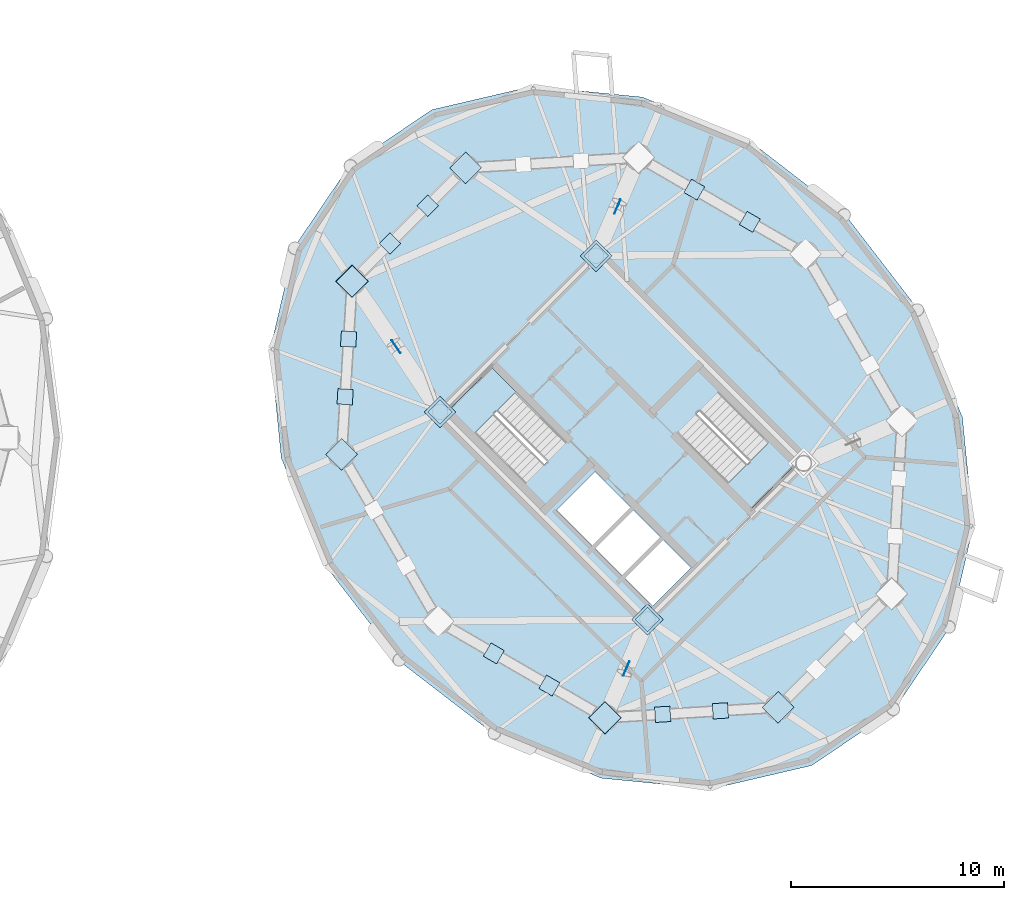
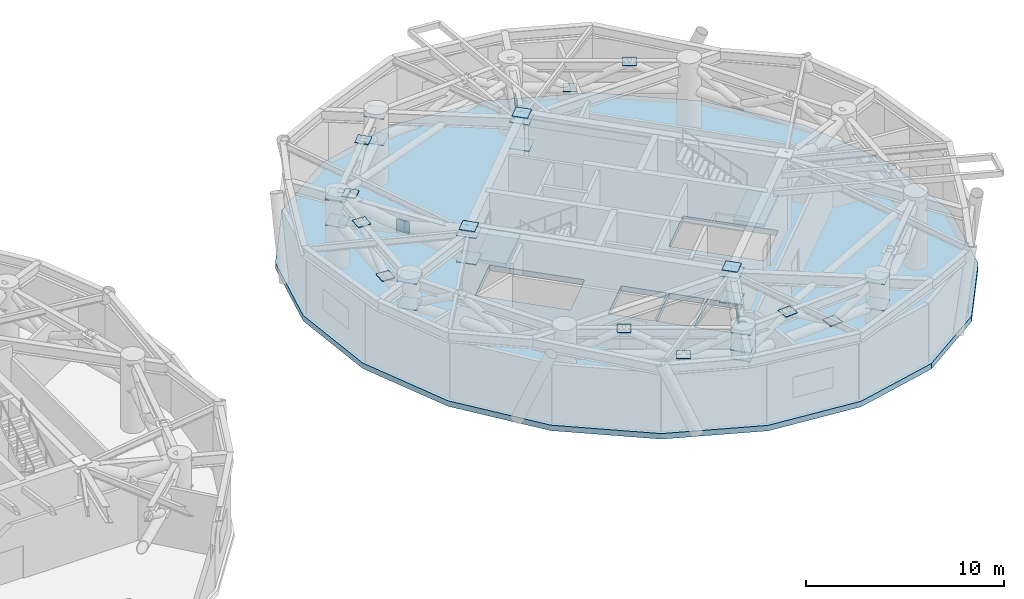
# One storey, part 7 of 16: 34 plates, 3 slabs, 2 elements without a shape of their own.
"""IFC4 building model written with IfcOpenShell, lengths in metres."""

import ifcopenshell
import ifcopenshell.guid

model = None  # the IFC model being written
_history = None  # IfcOwnerHistory: only IFC2X3 demands one
_inside = {}  # id of a spatial element -> (the spatial element, [elements in it])
_under = {}  # id of a project, library or spatial element -> (it, [spatial elements below it])
_declared = {}  # id of a project -> (the project, [libraries it declares])
_typed = {}  # id of a type object -> (the type object, [elements of that type])
_made_of = {}  # id of a material, layer set ... -> (it, [elements and type objects made of it])


def new_model(schema):
    """Start an empty IFC model of exactly this schema.

    Asked for "IFC4X3", IfcOpenShell would pick the latest addendum, in which some entities
    have other attributes; the version numbers below select the first issue.
    IFC2X3 requires an IfcOwnerHistory on every rooted entity: one is made here for all.
    """
    global model, _history
    if schema == "IFC4X3":
        model = ifcopenshell.file(schema_version=(4, 3, 0, 0))
    else:
        model = ifcopenshell.file(schema=schema)
    _inside.clear()
    _under.clear()
    _declared.clear()
    _typed.clear()
    _made_of.clear()
    _history = None
    if model.schema == "IFC2X3":
        org = make("IfcOrganization", Name="unknown")
        user = make(
            "IfcPersonAndOrganization",
            ThePerson=make("IfcPerson", FamilyName="unknown"),
            TheOrganization=org,
        )
        app = make(
            "IfcApplication",
            ApplicationDeveloper=org,
            Version="unknown",
            ApplicationFullName="unknown",
            ApplicationIdentifier="unknown",
        )
        _history = make(
            "IfcOwnerHistory",
            OwningUser=user,
            OwningApplication=app,
            ChangeAction="ADDED",
            CreationDate=0,
        )
    return model


def make(cls, **values):
    """One entity of the class cls with the attributes given. An attribute that is None is left unset."""
    return model.create_entity(
        cls, **{name: value for name, value in values.items() if value is not None}
    )


def rooted(cls, **values):
    """An entity with a GlobalId (a new one), such as an element, a storey or a relation."""
    return make(cls, GlobalId=ifcopenshell.guid.new(), OwnerHistory=_history, **values)


def si_unit(unit_type, name, prefix=None):
    """IfcSIUnit, for example si_unit("LENGTHUNIT", "METRE", prefix="MILLI")."""
    return make("IfcSIUnit", UnitType=unit_type, Prefix=prefix, Name=name)


def assignment(units):
    """IfcUnitAssignment: the units of a project."""
    return None if units is None else make("IfcUnitAssignment", Units=units)


def point(xyz):
    """IfcCartesianPoint."""
    return None if xyz is None else make("IfcCartesianPoint", Coordinates=xyz)


def direction(xyz):
    """IfcDirection."""
    return None if xyz is None else make("IfcDirection", DirectionRatios=xyz)


def frame(location, z_axis=None, x_axis=None):
    """IfcAxis2Placement3D, a coordinate frame: its origin and axes. An axis left out is left unset."""
    return make(
        "IfcAxis2Placement3D",
        Location=point(location),
        Axis=direction(z_axis),
        RefDirection=direction(x_axis),
    )


def frame_2d(location, x_axis=None):
    """IfcAxis2Placement2D, a coordinate frame in the plane: its origin and x axis."""
    return make(
        "IfcAxis2Placement2D", Location=point(location), RefDirection=direction(x_axis)
    )


def origin():
    """The frame at (0, 0, 0) with its axes left unset."""
    return frame((0.0, 0.0, 0.0))


def origin_2d():
    """The frame at (0, 0) in the plane with its x axis left unset."""
    return frame_2d((0.0, 0.0))


def place(relative_to, where):
    """IfcLocalPlacement: puts the frame where relative to a parent placement (None: the world)."""
    return make(
        "IfcLocalPlacement", PlacementRelTo=relative_to, RelativePlacement=where
    )


def context(
    kind, dimensions, precision=None, world=None, true_north=None, identifier=None
):
    """IfcGeometricRepresentationContext, for example the 3D "Model" context."""
    return make(
        "IfcGeometricRepresentationContext",
        ContextIdentifier=identifier,
        ContextType=kind,
        CoordinateSpaceDimension=dimensions,
        Precision=precision,
        WorldCoordinateSystem=world,
        TrueNorth=true_north,
    )


def subcontext(parent, identifier, kind, view, scale=None):
    """IfcGeometricRepresentationSubContext, for example "Body" below "Model"."""
    return make(
        "IfcGeometricRepresentationSubContext",
        ContextIdentifier=identifier,
        ContextType=kind,
        ParentContext=parent,
        TargetScale=scale,
        TargetView=view,
    )


def project(units=None, contexts=None):
    """IfcProject with its units and contexts."""
    return rooted(
        "IfcProject",
        Name="project",
        RepresentationContexts=contexts,
        UnitsInContext=assignment(units),
    )


def spatial(cls, under=None, at=None, **own):
    """A site, building, storey or space (cls), placed at a placement, below another one or the project."""
    s = rooted(cls, ObjectPlacement=at, **own)
    if under is not None:
        _under.setdefault(under.id(), (under, []))[1].append(s)
    return s


def polyline(points):
    """IfcPolyline through the points."""
    return make("IfcPolyline", Points=[point(p) for p in points])


def profile(cls, at=None, kind="AREA", **sizes):
    """A parametric profile (cls). Its sizes go by their IFC names, for example OverallWidth=200.0."""
    return make(cls, ProfileType=kind, Position=at, **sizes)


def rectangle(**sizes):
    """IfcRectangleProfileDef."""
    return profile("IfcRectangleProfileDef", **sizes)


def outline(outer, holes=None, kind="AREA"):
    """IfcArbitraryClosedProfileDef: a profile drawn as a closed curve; with holes, ...WithVoids."""
    if holes is None:
        return make("IfcArbitraryClosedProfileDef", ProfileType=kind, OuterCurve=outer)
    return make(
        "IfcArbitraryProfileDefWithVoids",
        ProfileType=kind,
        OuterCurve=outer,
        InnerCurves=holes,
    )


def extrude(swept, where, along, depth):
    """IfcExtrudedAreaSolid: the profile swept, set in the frame where, extruded along a direction by depth."""
    return make(
        "IfcExtrudedAreaSolid",
        SweptArea=swept,
        Position=where,
        ExtrudedDirection=direction(along),
        Depth=depth,
    )


def shape(context_of_items, identifier, shape_type, items):
    """IfcShapeRepresentation: the items that make up one representation, for example the "Body"."""
    return make(
        "IfcShapeRepresentation",
        ContextOfItems=context_of_items,
        RepresentationIdentifier=identifier,
        RepresentationType=shape_type,
        Items=items,
    )


def source(mapping_origin, context_of_items, identifier, shape_type, items):
    """IfcRepresentationMap: a shape defined once, which mapped items show again and again."""
    return make(
        "IfcRepresentationMap",
        MappingOrigin=mapping_origin,
        MappedRepresentation=shape(context_of_items, identifier, shape_type, items),
    )


def transform(
    local_origin,
    x_axis=None,
    y_axis=None,
    z_axis=None,
    scale=None,
    scale2=None,
    scale3=None,
    uniform=True,
):
    """IfcCartesianTransformationOperator3D, or its non-uniform kind. x_axis, y_axis, z_axis: its Axis1, 2, 3."""
    if uniform:
        return make(
            "IfcCartesianTransformationOperator3D",
            Axis1=direction(x_axis),
            Axis2=direction(y_axis),
            LocalOrigin=point(local_origin),
            Scale=scale,
            Axis3=direction(z_axis),
        )
    return make(
        "IfcCartesianTransformationOperator3DnonUniform",
        Axis1=direction(x_axis),
        Axis2=direction(y_axis),
        LocalOrigin=point(local_origin),
        Scale=scale,
        Axis3=direction(z_axis),
        Scale2=scale2,
        Scale3=scale3,
    )


def mapped(mapping_source, mapping_target):
    """IfcMappedItem: shows the shape of a source again, moved by a transform."""
    return make(
        "IfcMappedItem", MappingSource=mapping_source, MappingTarget=mapping_target
    )


def material(Name=None, Category=None):
    """IfcMaterial."""
    return make("IfcMaterial", Name=Name, Category=Category)


def layer(
    of_material, thickness, ventilated=None, Name=None, Category=None, Priority=None
):
    """IfcMaterialLayer: one layer of a wall or slab, of a material (None: an air gap)."""
    return make(
        "IfcMaterialLayer",
        Material=of_material,
        LayerThickness=thickness,
        IsVentilated=ventilated,
        Name=Name,
        Category=Category,
        Priority=Priority,
    )


def layer_set(layers, Name=None):
    """IfcMaterialLayerSet."""
    return make("IfcMaterialLayerSet", MaterialLayers=layers, LayerSetName=Name)


def made_of(thing, what):
    """Note that an element or type object is made of a material, layer set ...; save() writes the relation."""
    if what is not None:
        _made_of.setdefault(what.id(), (what, []))[1].append(thing)
    return thing


def type_object(cls, material=None, **own):
    """A type object (cls), such as IfcWallType, which elements share."""
    return made_of(rooted(cls, **own), material)


def element(
    cls,
    number,
    at=None,
    inside=None,
    cuts=None,
    type_object=None,
    material=None,
    context=None,
    identifier="Body",
    shape_type=None,
    held_by="IfcProductDefinitionShape",
    body=None,
    shapes=None,
    **own,
):
    """One element of the class cls, such as IfcWall. Its Tag is "e" and its number.

    at: its placement. inside: the storey or other place that contains it. cuts: it is an
    opening in that element (IfcRelVoidsElement). A single representation is given by context,
    identifier, shape_type and body (its items); several are given by shapes. held_by: the class
    of the entity that holds the representations. save() writes the other relations.
    """
    e = rooted(cls, Tag="e%d" % number, ObjectPlacement=at, **own)
    if body is not None:
        shapes = [shape(context, identifier, shape_type, body)]
    if shapes is not None:
        e.Representation = make(held_by, Representations=shapes)
    if inside is not None:
        _inside.setdefault(inside.id(), (inside, []))[1].append(e)
    if cuts is not None:
        rooted(
            "IfcRelVoidsElement", RelatingBuildingElement=cuts, RelatedOpeningElement=e
        )
    if type_object is not None:
        _typed.setdefault(type_object.id(), (type_object, []))[1].append(e)
    return made_of(e, material)


def aggregate(whole, parts):
    """IfcRelAggregates: a whole, such as a stair, and the parts it consists of."""
    return rooted("IfcRelAggregates", RelatingObject=whole, RelatedObjects=parts)


def save(model, path):
    """Write the relations noted so far, then the file.

    IfcRelAggregates (storeys below a building ...), IfcRelContainedInSpatialStructure (elements
    in a storey), IfcRelDefinesByType, IfcRelAssociatesMaterial and IfcRelDeclares: one each for
    every whole, place, type object, material and project.
    """
    for whole, parts in _under.values():
        aggregate(whole, parts)
    for where, things in _inside.values():
        rooted(
            "IfcRelContainedInSpatialStructure",
            RelatedElements=things,
            RelatingStructure=where,
        )
    for kind, things in _typed.values():
        rooted("IfcRelDefinesByType", RelatedObjects=things, RelatingType=kind)
    for what, things in _made_of.values():
        rooted("IfcRelAssociatesMaterial", RelatedObjects=things, RelatingMaterial=what)
    for by, libraries in _declared.values():
        rooted("IfcRelDeclares", RelatingContext=by, RelatedDefinitions=libraries)
    model.write(path)


model = new_model("IFC4")

# Units and contexts
model_context = context("Model", 3, precision=1e-05, world=origin(), true_north=direction((0.0, 1.0)))
body_context = subcontext(model_context, "Body", "Model", "MODEL_VIEW")
ifc_project = project(units=[si_unit("LENGTHUNIT", "METRE"), si_unit("AREAUNIT", "SQUARE_METRE"), si_unit("VOLUMEUNIT", "CUBIC_METRE"), si_unit("PLANEANGLEUNIT", "RADIAN"), si_unit("MASSUNIT", "GRAM", prefix="KILO")], contexts=[model_context])

# Site, building, storey
site_placement = place(None, origin())
site = spatial("IfcSite", under=ifc_project, at=site_placement, CompositionType="ELEMENT")
building_placement = place(site_placement, origin())
building = spatial("IfcBuilding", under=site, at=building_placement, Name="Cununo Teusaquillo Station Towers", CompositionType="ELEMENT")
storey_placement = place(building_placement, frame((0.0, 0.0, 147.10009765625)))
storey = spatial("IfcBuildingStorey", under=building, at=storey_placement, Name="L46", CompositionType="ELEMENT", Elevation=147.10009765625)

# Slab
ifc_material_1 = material(Name="Concrete C50/60", Category="concrete")
ifc_layer_1 = layer(ifc_material_1, 0.340087890625)
ifc_layer_set_1 = layer_set([ifc_layer_1], Name="Concrete C50/60")
slab_type_1 = type_object("IfcSlabType", Name="SLB-B01-340", PredefinedType="FLOOR", material=ifc_layer_set_1)
slab_1_placement = place(storey_placement, frame((0.0, 0.0, -0.340087890625)))
element("IfcSlab", 1, at=slab_1_placement, inside=storey, type_object=slab_type_1, Name="L46 Tower B Floor Slab", PredefinedType="FLOOR", context=body_context, shape_type="SweptSolid", body=[
    extrude(outline(polyline([(67.961669921875, 34.961669921875), (63.505615234375, 38.393798828125), (58.461669921875, 40.4658203125), (53.323486328125, 40.97509765625), (48.59423828125, 39.871337890625), (44.73681640625, 37.26318359375), (42.128662109375, 33.40576171875), (41.02490234375, 28.676513671875), (41.5341796875, 23.538330078125), (43.606201171875, 18.494384765625), (47.038330078125, 14.038330078125), (51.494384765625, 10.606201171875), (56.538330078125, 8.5341796875), (61.676513671875, 8.02490234375), (66.40576171875, 9.128662109375), (70.26318359375, 11.73681640625), (72.871337890625, 15.59423828125), (73.97509765625, 20.323486328125), (73.4658203125, 25.461669921875), (71.393798828125, 30.505615234375), (67.961669921875, 34.961669921875)]), holes=[polyline([(54.914794921875, 24.28515625), (51.390625, 27.809326171875), (49.43896484375, 25.857666015625), (52.963134765625, 22.33349609375), (54.914794921875, 24.28515625)]), polyline([(60.085205078125, 24.71484375), (63.609375, 21.190673828125), (65.56103515625, 23.142333984375), (62.036865234375, 26.66650390625), (60.085205078125, 24.71484375)]), polyline([(56.156494140625, 19.40869140625), (57.945556640625, 21.19775390625), (56.248291015625, 22.89501953125), (54.45947265625, 21.10595703125), (56.156494140625, 19.40869140625)]), polyline([(58.94970703125, 16.61572265625), (60.738525390625, 18.40478515625), (59.430419921875, 19.712890625), (57.641357421875, 17.923828125), (58.94970703125, 16.61572265625)]), polyline([(57.535400390625, 18.030029296875), (59.32421875, 19.819091796875), (58.01611328125, 21.127197265625), (56.227294921875, 19.338134765625), (57.535400390625, 18.030029296875)])]), origin(), (0.0, 0.0, 1.0), 0.340087890625),
])

# Stair, slab
ifc_material_2 = material(Name="Concrete C50/60", Category="concrete")
stair_type = type_object("IfcStairType", Name="ST-TWR-1300", PredefinedType="HALF_TURN_STAIR", material=ifc_material_2)
stair_1_placement = place(storey_placement, origin())
stair_1 = element("IfcStair", 2, at=stair_1_placement, inside=storey, type_object=stair_type, Name="L46 Tower B Protected Core Exit Stair 1", PredefinedType="HALF_TURN_STAIR")
ifc_material_3 = material(Name="Concrete C50/60", Category="concrete")
ifc_layer_2 = layer(ifc_material_3, 0.199951171875)
ifc_layer_set_2 = layer_set([ifc_layer_2], Name="Concrete C50/60")
slab_type_2 = type_object("IfcSlabType", Name="SLB-STAIR-LND", PredefinedType="LANDING", material=ifc_layer_set_2)
slab_2_placement = place(storey_placement, frame((0.0, 0.0, 2.0498046875)))
slab_2 = element("IfcSlab", 3, at=slab_2_placement, type_object=slab_type_2, Name="ST-T2-1 landing 1", PredefinedType="LANDING", context=body_context, shape_type="SweptSolid", body=[
    extrude(outline(polyline([(52.543212890625, 26.65673828125), (51.390625, 27.809326171875), (49.43896484375, 25.857666015625), (50.591552734375, 24.705078125), (52.543212890625, 26.65673828125)])), origin(), (0.0, 0.0, 1.0), 0.2001953125),
])
aggregate(stair_1, [slab_2])

stair_2_placement = place(storey_placement, origin())
stair_2 = element("IfcStair", 4, at=stair_2_placement, inside=storey, type_object=stair_type, Name="L46 Tower B Protected Core Exit Stair 2", PredefinedType="HALF_TURN_STAIR")
slab_3_placement = place(storey_placement, frame((0.0, 0.0, 2.0498046875)))
slab_3 = element("IfcSlab", 5, at=slab_3_placement, type_object=slab_type_2, Name="ST-T2-2 landing 1", PredefinedType="LANDING", context=body_context, shape_type="SweptSolid", body=[
    extrude(outline(polyline([(62.456787109375, 22.34326171875), (63.609375, 21.190673828125), (65.56103515625, 23.142333984375), (64.408447265625, 24.294921875), (62.456787109375, 22.34326171875)])), origin(), (0.0, 0.0, 1.0), 0.2001953125),
])
aggregate(stair_2, [slab_3])

# Plates
ifc_material_4 = material(Name="Steel ASTM A572 Grade 50", Category="steel")
ifc_layer_3 = layer(ifc_material_4, 0.0400390625)
ifc_layer_set_3 = layer_set([ifc_layer_3], Name="Steel ASTM A572 Grade 50")
plate_type_1 = type_object("IfcPlateType", Name="PLT-NODE-CRN1", PredefinedType="USERDEFINED", material=ifc_layer_set_3)
shared_shape_1 = source(origin(), body_context, "Body", "SweptSolid", [
    extrude(rectangle(XDim=0.820068359375, YDim=0.820068359375, at=origin_2d()), origin(), (0.0, 0.0, 1.0), 0.0400390625),
])
for number, where, z_axis, x_axis, name in (
    (6, (58.70556640625, 15.975830078125, 4.5), (0.0, 0.0, 1.0), (0.707106781187, 0.707106781187, 0.0), "L46 Tower B Core Column Sealed Cap Plate 1"),
    (7, (48.975830078125, 25.70556640625, 4.5), (0.0, 0.0, 1.0), (0.707106781187, 0.707106781187, 0.0), "L46 Tower B Core Column Sealed Cap Plate 2"),
    (8, (56.29443359375, 33.024169921875, 4.5), (0.0, 0.0, 1.0), (0.707106781187, 0.707106781187, 0.0), "L46 Tower B Core Column Sealed Cap Plate 4"),
):
    element("IfcPlate", number, at=place(storey_placement, frame(where, z_axis=z_axis, x_axis=x_axis)), inside=storey, type_object=plate_type_1, Name=name, ObjectType="GUSSET PLATE", PredefinedType="USERDEFINED", context=body_context, shape_type="MappedRepresentation", body=[
        mapped(shared_shape_1, transform((0.0, 0.0, 0.0), x_axis=(1.0, 0.0, 0.0), y_axis=(0.0, 1.0, 0.0), z_axis=(0.0, 0.0, 1.0), scale=1.0)),
    ])
ifc_material_5 = material(Name="Steel ASTM A572 Grade 50", Category="steel")
ifc_layer_4 = layer(ifc_material_5, 0.030029296875)
ifc_layer_set_4 = layer_set([ifc_layer_4], Name="Steel ASTM A572 Grade 50")
plate_type_2 = type_object("IfcPlateType", Name="PLT-NODE-XBR", PredefinedType="USERDEFINED", material=ifc_layer_set_4)
shared_shape_2 = source(origin(), body_context, "Body", "SweptSolid", [
    extrude(rectangle(XDim=0.719970703125, YDim=0.030029296875, at=origin_2d()), origin(), (0.0, 0.0, 1.0), 0.719970703125),
])
for number, where, z_axis, x_axis, name in (
    (9, (46.914794921875, 28.76611328125, 3.02978515625), (0.0, 0.0, 1.0), (-0.558613989835, 0.829427760785, 0.0), "L46 Tower B Outrigger X-Crossing Gusset XBP1 1"),
    (10, (57.292724609375, 35.32958984375, 3.02978515625), (0.0, 0.0, 1.0), (0.397308062984, 0.917685296323, 0.0), "L46 Tower B Outrigger X-Crossing Gusset XBP1 2"),
    (11, (57.707275390625, 13.67041015625, 3.02978515625), (0.0, 0.0, 1.0), (-0.397308062984, -0.917685296323, 0.0), "L46 Tower B Outrigger X-Crossing Gusset XBP1 3"),
):
    element("IfcPlate", number, at=place(storey_placement, frame(where, z_axis=z_axis, x_axis=x_axis)), inside=storey, type_object=plate_type_2, Name=name, ObjectType="GUSSET PLATE", PredefinedType="USERDEFINED", context=body_context, shape_type="MappedRepresentation", body=[
        mapped(shared_shape_2, transform((0.0, 0.0, 0.0), x_axis=(1.0, 0.0, 0.0), y_axis=(0.0, 1.0, 0.0), z_axis=(0.0, 0.0, 1.0), scale=1.0)),
    ])
ifc_material_6 = material(Name="Steel ASTM A572 Grade 50", Category="steel")
ifc_layer_5 = layer(ifc_material_6, 0.054931640625)
ifc_layer_set_5 = layer_set([ifc_layer_5], Name="Steel ASTM A572 Grade 50")
plate_type_3 = type_object("IfcPlateType", Name="PLT-NODE-OTN1", PredefinedType="USERDEFINED", material=ifc_layer_set_5)
shared_shape_3 = source(origin(), body_context, "Body", "SweptSolid", [
    extrude(rectangle(XDim=1.050048828125, YDim=1.050048828125, at=origin_2d()), origin(), (0.0, 0.0, 1.0), 0.054931640625),
])
for number, where, z_axis, x_axis, name in (
    (12, (48.975830078125, 25.70556640625, 2.55224609375), (0.0, 0.0, 1.0), (0.707106781187, 0.707106781187, 0.0), "L46 Tower B Outrigger Core Gusset OTN1 1.CB"),
    (13, (48.975830078125, 25.70556640625, 4.17236328125), (0.0, 0.0, 1.0), (0.707106781187, 0.707106781187, 0.0), "L46 Tower B Outrigger Core Gusset OTN1 1.CT"),
    (14, (56.29443359375, 33.024169921875, 2.55224609375), (0.0, 0.0, 1.0), (0.707106781187, 0.707106781187, 0.0), "L46 Tower B Outrigger Core Gusset OTN1 2.CB"),
    (15, (56.29443359375, 33.024169921875, 4.17236328125), (0.0, 0.0, 1.0), (0.707106781187, 0.707106781187, 0.0), "L46 Tower B Outrigger Core Gusset OTN1 2.CT"),
    (16, (58.70556640625, 15.975830078125, 2.55224609375), (0.0, 0.0, 1.0), (0.707106781187, 0.707106781187, 0.0), "L46 Tower B Outrigger Core Gusset OTN1 3.CB"),
    (17, (58.70556640625, 15.975830078125, 4.17236328125), (0.0, 0.0, 1.0), (0.707106781187, 0.707106781187, 0.0), "L46 Tower B Outrigger Core Gusset OTN1 3.CT"),
    (18, (50.173095703125, 37.146240234375, 2.55224609375), (0.0, 0.0, 1.0), (0.707106781187, 0.707106781187, 0.0), "L46 Tower B Belt Truss Column Gusset 03B"),
    (19, (50.173095703125, 37.146240234375, 4.17236328125), (0.0, 0.0, 1.0), (0.707106781187, 0.707106781187, 0.0), "L46 Tower B Belt Truss Column Gusset 03T"),
    (20, (44.853759765625, 31.826904296875, 2.55224609375), (0.0, 0.0, 1.0), (0.707106781187, 0.707106781187, 0.0), "L46 Tower B Belt Truss Column Gusset 04B"),
    (21, (44.853759765625, 31.826904296875, 4.17236328125), (0.0, 0.0, 1.0), (0.707106781187, 0.707106781187, 0.0), "L46 Tower B Belt Truss Column Gusset 04T"),
    (22, (44.36474609375, 23.708984375, 2.55224609375), (0.0, 0.0, 1.0), (0.707106781187, 0.707106781187, 0.0), "L46 Tower B Belt Truss Column Gusset 05B"),
    (23, (44.36474609375, 23.708984375, 4.17236328125), (0.0, 0.0, 1.0), (0.707106781187, 0.707106781187, 0.0), "L46 Tower B Belt Truss Column Gusset 05T"),
    (24, (56.708984375, 11.36474609375, 2.55224609375), (0.0, 0.0, 1.0), (0.707106781187, 0.707106781187, 0.0), "L46 Tower B Belt Truss Column Gusset 07B"),
    (25, (56.708984375, 11.36474609375, 4.17236328125), (0.0, 0.0, 1.0), (0.707106781187, 0.707106781187, 0.0), "L46 Tower B Belt Truss Column Gusset 07T"),
    (26, (64.826904296875, 11.853759765625, 2.55224609375), (0.0, 0.0, 1.0), (0.707106781187, 0.707106781187, 0.0), "L46 Tower B Belt Truss Column Gusset 08B"),
    (27, (64.826904296875, 11.853759765625, 4.17236328125), (0.0, 0.0, 1.0), (0.707106781187, 0.707106781187, 0.0), "L46 Tower B Belt Truss Column Gusset 08T"),
):
    element("IfcPlate", number, at=place(storey_placement, frame(where, z_axis=z_axis, x_axis=x_axis)), inside=storey, type_object=plate_type_3, Name=name, ObjectType="GUSSET PLATE", PredefinedType="USERDEFINED", context=body_context, shape_type="MappedRepresentation", body=[
        mapped(shared_shape_3, transform((0.0, 0.0, 0.0), x_axis=(1.0, 0.0, 0.0), y_axis=(0.0, 1.0, 0.0), z_axis=(0.0, 0.0, 1.0), scale=1.0)),
    ])
shared_shape_4 = source(origin(), body_context, "Body", "SweptSolid", [
    extrude(rectangle(XDim=0.719970703125, YDim=0.719970703125, at=origin_2d()), origin(), (0.0, 0.0, 1.0), 0.030029296875),
])
for number, where, z_axis, x_axis, name in (
    (28, (63.501708984375, 34.616455078125, 4.18505859375), (0.0, 0.0, 1.0), (-0.865238937528, 0.501359732114, 0.0), "L46 Tower B Belt Web Node Gusset XBP1 01T1"),
    (29, (60.896484375, 36.125732421875, 2.56494140625), (0.0, 0.0, 1.0), (-0.865238937528, 0.501359732114, 0.0), "L46 Tower B Belt Web Node Gusset XBP1 01B2"),
    (30, (48.39990234375, 35.373291015625, 4.18505859375), (0.0, 0.0, 1.0), (-0.707106781187, -0.707106781187, 0.0), "L46 Tower B Belt Web Node Gusset XBP1 03T1"),
    (31, (46.626708984375, 33.60009765625, 2.56494140625), (0.0, 0.0, 1.0), (-0.707106781187, -0.707106781187, 0.0), "L46 Tower B Belt Web Node Gusset XBP1 03B2"),
    (32, (44.690673828125, 29.120849609375, 4.18505859375), (0.0, 0.0, 1.0), (-0.060177479469, -0.998187693254, 0.0), "L46 Tower B Belt Web Node Gusset XBP1 04T1"),
    (33, (44.52783203125, 26.414794921875, 2.56494140625), (0.0, 0.0, 1.0), (-0.060177479469, -0.998187693254, 0.0), "L46 Tower B Belt Web Node Gusset XBP1 04B2"),
    (34, (51.498291015625, 14.383544921875, 4.18505859375), (0.0, 0.0, 1.0), (0.865238937528, -0.501359732114, 0.0), "L46 Tower B Belt Web Node Gusset XBP1 06T1"),
    (35, (54.103515625, 12.874267578125, 2.56494140625), (0.0, 0.0, 1.0), (0.865238937528, -0.501359732114, 0.0), "L46 Tower B Belt Web Node Gusset XBP1 06B2"),
    (36, (59.414794921875, 11.52783203125, 4.18505859375), (0.0, 0.0, 1.0), (0.998187693254, 0.060177479469, 0.0), "L46 Tower B Belt Web Node Gusset XBP1 07T1"),
    (37, (62.120849609375, 11.690673828125, 2.56494140625), (0.0, 0.0, 1.0), (0.998187693254, 0.060177479469, 0.0), "L46 Tower B Belt Web Node Gusset XBP1 07B2"),
):
    element("IfcPlate", number, at=place(storey_placement, frame(where, z_axis=z_axis, x_axis=x_axis)), inside=storey, type_object=plate_type_2, Name=name, ObjectType="GUSSET PLATE", PredefinedType="USERDEFINED", context=body_context, shape_type="MappedRepresentation", body=[
        mapped(shared_shape_4, transform((0.0, 0.0, 0.0), x_axis=(1.0, 0.0, 0.0), y_axis=(0.0, 1.0, 0.0), z_axis=(0.0, 0.0, 1.0), scale=1.0)),
    ])
ifc_material_7 = material(Name="Steel ASTM A572 Grade 50", Category="steel")
ifc_layer_6 = layer(ifc_material_7, 0.06005859375)
ifc_layer_set_6 = layer_set([ifc_layer_6], Name="Steel ASTM A572 Grade 50")
plate_type_4 = type_object("IfcPlateType", Name="PLT-NODE-SBN1", PredefinedType="USERDEFINED", material=ifc_layer_set_6)
shared_shape_5 = source(origin(), body_context, "Body", "SweptSolid", [
    extrude(rectangle(XDim=1.10009765625, YDim=1.10009765625, at=origin_2d()), origin(), (0.0, 0.0, 1.0), 0.06005859375),
])
for number, where, z_axis, x_axis, name in (
    (38, (44.853759765625, 31.826904296875, 4.1298828125), (0.0, 0.0, 1.0), (0.707106781187, 0.707106781187, 0.0), "L46 Tower B Bridge Zone Node Plate SBN1 1B"),
    (39, (56.708984375, 11.36474609375, 3.119873046875), (0.0, 0.0, 1.0), (0.707106781187, 0.707106781187, 0.0), "L46 Tower B Bridge Zone Node Plate SBN1 2A"),
):
    element("IfcPlate", number, at=place(storey_placement, frame(where, z_axis=z_axis, x_axis=x_axis)), inside=storey, type_object=plate_type_4, Name=name, ObjectType="GUSSET PLATE", PredefinedType="USERDEFINED", context=body_context, shape_type="MappedRepresentation", body=[
        mapped(shared_shape_5, transform((0.0, 0.0, 0.0), x_axis=(1.0, 0.0, 0.0), y_axis=(0.0, 1.0, 0.0), z_axis=(0.0, 0.0, 1.0), scale=1.0)),
    ])

save(model, "model.ifc")
